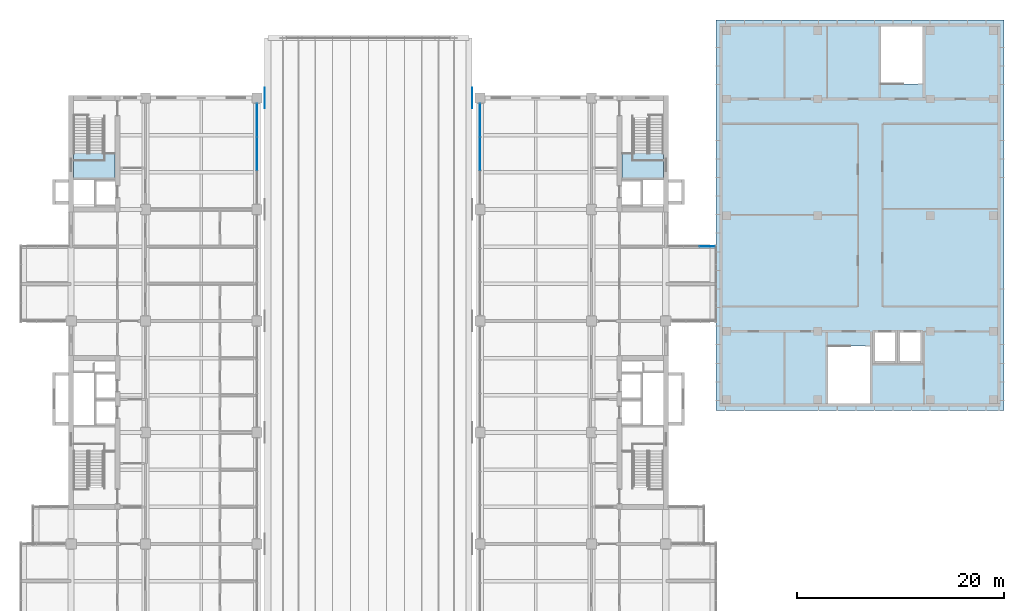
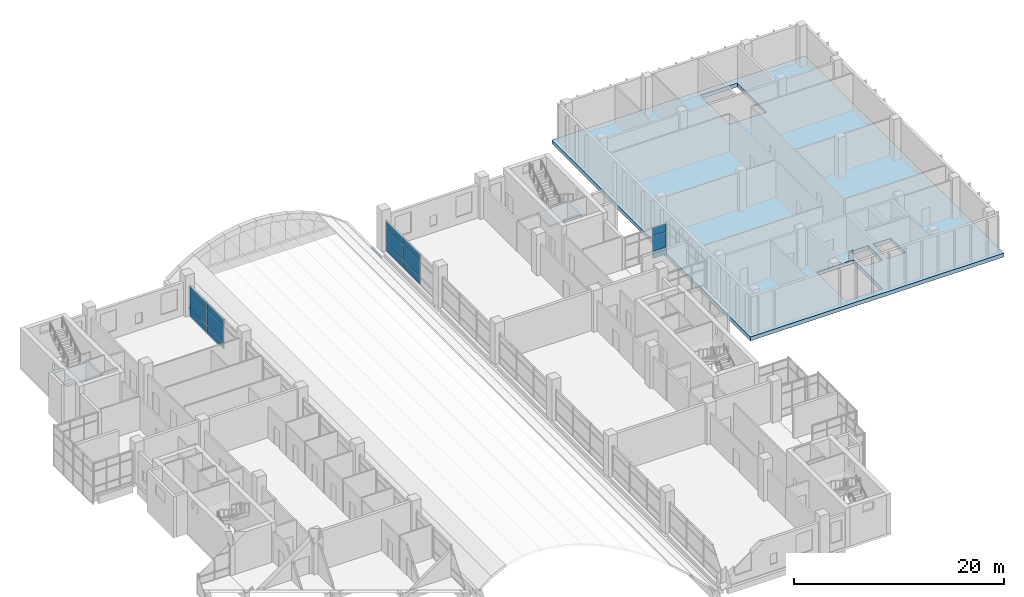
# One storey, part 29 of 45: 17 plates, 3 slabs, 5 elements without a shape of their own.
"""IFC4 building model written with IfcOpenShell, lengths in metres."""

from ifc_helpers import new_model, si_unit, direction, frame, origin, origin_2d, place, context, subcontext, project, spatial, polyline, rectangle, outline, extrude, material, layer, layer_set, type_object, element, aggregate, save


model = new_model("IFC4")

# Units and contexts
model_context = context("Model", 3, precision=1e-05, world=origin(), true_north=direction((0.0, 1.0)))
body_context = subcontext(model_context, "Body", "Model", "MODEL_VIEW")
ifc_project = project(units=[si_unit("LENGTHUNIT", "METRE"), si_unit("AREAUNIT", "SQUARE_METRE"), si_unit("VOLUMEUNIT", "CUBIC_METRE"), si_unit("PLANEANGLEUNIT", "RADIAN"), si_unit("MASSUNIT", "GRAM", prefix="KILO")], contexts=[model_context])

# Site, building, storey
site_placement = place(None, origin())
site = spatial("IfcSite", under=ifc_project, at=site_placement, CompositionType="ELEMENT")
building_placement = place(site_placement, origin())
building = spatial("IfcBuilding", under=site, at=building_placement, Name="Basin Gate Institute", CompositionType="ELEMENT")
storey_placement = place(building_placement, frame((0.0, 0.0, 22.199951171875)))
storey = spatial("IfcBuildingStorey", under=building, at=storey_placement, Name="L04", CompositionType="ELEMENT", Elevation=22.199951171875)

# Plates
ifc_material_1 = material(Name="Stainless steel", Category="steel")
ifc_layer_1 = layer(ifc_material_1, 0.0029296875)
ifc_layer_set_1 = layer_set([ifc_layer_1], Name="Stainless steel")
plate_type_1 = type_object("IfcPlateType", Name="Shell joint cover JC1", PredefinedType="SHEET", material=ifc_layer_set_1)
for number, where, z_axis, x_axis, name in (
    (1, (79.948486328125, 99.89990234375, -0.39990234375), (0.0, 0.0, 1.0), (1.0, 0.0, 0.0), "Atrium shell joint cover 7W"),
    (2, (100.051513671875, 99.89990234375, -0.39990234375), (0.0, 0.0, 1.0), (1.0, 0.0, 0.0), "Atrium shell joint cover 7E"),
):
    element("IfcPlate", number, at=place(storey_placement, frame(where, z_axis=z_axis, x_axis=x_axis)), inside=storey, type_object=plate_type_1, material=ifc_layer_set_1, Name=name, PredefinedType="SHEET", context=body_context, shape_type="SweptSolid", body=[
        extrude(rectangle(XDim=0.0029296875, YDim=2.0, at=origin_2d()), origin(), (0.0, 0.0, 1.0), 0.300048828125),
    ])

# Slab
ifc_material_2 = material(Name="Concrete 40 MPa", Category="concrete")
ifc_layer_2 = layer(ifc_material_2, 0.449951171875)
ifc_layer_set_2 = layer_set([ifc_layer_2], Name="Concrete 40 MPa")
slab_type_1 = type_object("IfcSlabType", Name="Slab SL845 R120", PredefinedType="FLOOR", material=ifc_layer_set_2)
slab_1_placement = place(storey_placement, frame((0.0, 0.0, -0.449951171875)))
element("IfcSlab", 3, at=slab_1_placement, inside=storey, type_object=slab_type_1, material=ifc_layer_set_2, Name="Clean block floor slab R120 L04", PredefinedType="FLOOR", context=body_context, shape_type="SweptSolid", body=[
    extrude(outline(polyline([(123.64990234375, 107.449951171875), (123.64990234375, 69.64990234375), (151.550048828125, 69.64990234375), (151.550048828125, 107.449951171875), (123.64990234375, 107.449951171875)]), holes=[polyline([(134.52490234375, 75.85498046875), (138.574951171875, 75.85498046875), (138.574951171875, 70.300048828125), (134.52490234375, 70.300048828125), (134.52490234375, 75.85498046875)]), polyline([(139.074951171875, 77.175048828125), (140.97509765625, 77.175048828125), (140.97509765625, 74.425048828125), (139.074951171875, 74.425048828125), (139.074951171875, 77.175048828125)]), polyline([(141.47509765625, 77.175048828125), (143.47509765625, 77.175048828125), (143.47509765625, 74.425048828125), (141.47509765625, 74.425048828125), (141.47509765625, 77.175048828125)]), polyline([(139.625, 106.800048828125), (143.675048828125, 106.800048828125), (143.675048828125, 101.2451171875), (139.625, 101.2451171875), (139.625, 106.800048828125)])]), origin(), (0.0, 0.0, 1.0), 0.449951171875),
])

# Curtain wall, plates
ifc_material_3 = material(Name="Aluminium-framed glazing", Category="aluminium")
ifc_layer_3 = layer(ifc_material_3, 0.199951171875)
ifc_layer_set_3 = layer_set([ifc_layer_3], Name="Atrium curtain wall CW2")
curtain_wall_type_1 = type_object("IfcCurtainWallType", Name="Atrium curtain wall CW2", PredefinedType="NOTDEFINED", material=ifc_layer_set_3)
curtain_wall_1_placement = place(storey_placement, origin())
curtain_wall_1 = element("IfcCurtainWall", 4, at=curtain_wall_1_placement, inside=storey, type_object=curtain_wall_type_1, material=ifc_layer_set_3, Name="Atrium curtain wall W wing atrium bay 6 L04", PredefinedType="NOTDEFINED")
ifc_material_4 = material(Name="Aluminium insulated spandrel panel", Category="aluminium")
ifc_layer_4 = layer(ifc_material_4, 0.050048828125)
ifc_layer_set_4 = layer_set([ifc_layer_4], Name="Spandrel panel PN2")
plate_type_2 = type_object("IfcPlateType", Name="Spandrel panel PN2", PredefinedType="CURTAIN_PANEL", material=ifc_layer_set_4)
plate_1_placement = place(storey_placement, frame((79.199951171875, 94.5, 0.06005859375), z_axis=(0.0, 0.0, 1.0), x_axis=(0.0, 1.0, 0.0)))
plate_1 = element("IfcPlate", 5, at=plate_1_placement, type_object=plate_type_2, material=ifc_layer_set_4, Name="CW2 spandrel panel 2.1", PredefinedType="CURTAIN_PANEL", context=body_context, shape_type="SweptSolid", body=[
    extrude(rectangle(XDim=3.206787109375, YDim=0.050048828125, at=origin_2d()), origin(), (0.0, 0.0, 1.0), 0.81005859375),
])
plate_2_placement = place(storey_placement, frame((79.199951171875, 94.5, 2.72998046875), z_axis=(0.0, 0.0, 1.0), x_axis=(0.0, 1.0, 0.0)))
plate_2 = element("IfcPlate", 6, at=plate_2_placement, type_object=plate_type_2, material=ifc_layer_set_4, Name="CW2 spandrel panel 2.3", PredefinedType="CURTAIN_PANEL", context=body_context, shape_type="SweptSolid", body=[
    extrude(rectangle(XDim=3.206787109375, YDim=0.050048828125, at=origin_2d()), origin(), (0.0, 0.0, 1.0), 0.760009765625),
])
plate_3_placement = place(storey_placement, frame((79.199951171875, 97.751708984375, 0.06005859375), z_axis=(0.0, 0.0, 1.0), x_axis=(0.0, 1.0, 0.0)))
plate_3 = element("IfcPlate", 7, at=plate_3_placement, type_object=plate_type_2, material=ifc_layer_set_4, Name="CW2 spandrel panel 3.1", PredefinedType="CURTAIN_PANEL", context=body_context, shape_type="SweptSolid", body=[
    extrude(rectangle(XDim=3.1767578125, YDim=0.050048828125, at=origin_2d()), origin(), (0.0, 0.0, 1.0), 0.81005859375),
])
plate_4_placement = place(storey_placement, frame((79.199951171875, 97.751708984375, 2.72998046875), z_axis=(0.0, 0.0, 1.0), x_axis=(0.0, 1.0, 0.0)))
plate_4 = element("IfcPlate", 8, at=plate_4_placement, type_object=plate_type_2, material=ifc_layer_set_4, Name="CW2 spandrel panel 3.3", PredefinedType="CURTAIN_PANEL", context=body_context, shape_type="SweptSolid", body=[
    extrude(rectangle(XDim=3.1767578125, YDim=0.050048828125, at=origin_2d()), origin(), (0.0, 0.0, 1.0), 0.760009765625),
])

curtain_wall_2_placement = place(storey_placement, origin())
curtain_wall_2 = element("IfcCurtainWall", 9, at=curtain_wall_2_placement, inside=storey, type_object=curtain_wall_type_1, material=ifc_layer_set_3, Name="Atrium curtain wall E wing atrium bay 6 L04", PredefinedType="NOTDEFINED")
plate_5_placement = place(storey_placement, frame((100.800048828125, 94.5, 0.06005859375), z_axis=(0.0, 0.0, 1.0), x_axis=(0.0, 1.0, 0.0)))
plate_5 = element("IfcPlate", 10, at=plate_5_placement, type_object=plate_type_2, material=ifc_layer_set_4, Name="CW2 spandrel panel 2.1", PredefinedType="CURTAIN_PANEL", context=body_context, shape_type="SweptSolid", body=[
    extrude(rectangle(XDim=3.206787109375, YDim=0.050048828125, at=origin_2d()), origin(), (0.0, 0.0, 1.0), 0.81005859375),
])
plate_6_placement = place(storey_placement, frame((100.800048828125, 94.5, 2.72998046875), z_axis=(0.0, 0.0, 1.0), x_axis=(0.0, 1.0, 0.0)))
plate_6 = element("IfcPlate", 11, at=plate_6_placement, type_object=plate_type_2, material=ifc_layer_set_4, Name="CW2 spandrel panel 2.3", PredefinedType="CURTAIN_PANEL", context=body_context, shape_type="SweptSolid", body=[
    extrude(rectangle(XDim=3.206787109375, YDim=0.050048828125, at=origin_2d()), origin(), (0.0, 0.0, 1.0), 0.760009765625),
])
plate_7_placement = place(storey_placement, frame((100.800048828125, 97.751708984375, 0.06005859375), z_axis=(0.0, 0.0, 1.0), x_axis=(0.0, 1.0, 0.0)))
plate_7 = element("IfcPlate", 12, at=plate_7_placement, type_object=plate_type_2, material=ifc_layer_set_4, Name="CW2 spandrel panel 3.1", PredefinedType="CURTAIN_PANEL", context=body_context, shape_type="SweptSolid", body=[
    extrude(rectangle(XDim=3.1767578125, YDim=0.050048828125, at=origin_2d()), origin(), (0.0, 0.0, 1.0), 0.81005859375),
])
plate_8_placement = place(storey_placement, frame((100.800048828125, 97.751708984375, 2.72998046875), z_axis=(0.0, 0.0, 1.0), x_axis=(0.0, 1.0, 0.0)))
plate_8 = element("IfcPlate", 13, at=plate_8_placement, type_object=plate_type_2, material=ifc_layer_set_4, Name="CW2 spandrel panel 3.3", PredefinedType="CURTAIN_PANEL", context=body_context, shape_type="SweptSolid", body=[
    extrude(rectangle(XDim=3.1767578125, YDim=0.050048828125, at=origin_2d()), origin(), (0.0, 0.0, 1.0), 0.760009765625),
])

# Curtain wall, plate
ifc_material_5 = material(Name="Aluminium-framed glazing", Category="aluminium")
ifc_layer_5 = layer(ifc_material_5, 0.14990234375)
ifc_layer_set_5 = layer_set([ifc_layer_5], Name="Capsule front curtain wall CW1")
curtain_wall_type_2 = type_object("IfcCurtainWallType", Name="Capsule front curtain wall CW1", PredefinedType="NOTDEFINED", material=ifc_layer_set_5)
curtain_wall_3_placement = place(storey_placement, origin())
curtain_wall_3 = element("IfcCurtainWall", 14, at=curtain_wall_3_placement, inside=storey, type_object=curtain_wall_type_2, material=ifc_layer_set_5, Name="Capsule front curtain wall E wing capsule end L04 line 15", PredefinedType="NOTDEFINED")
plate_9_placement = place(storey_placement, frame((122.8125, 85.5, 0.06005859375), z_axis=(0.0, 0.0, 1.0), x_axis=(-1.0, 0.0, 0.0)))
plate_9 = element("IfcPlate", 15, at=plate_9_placement, type_object=plate_type_2, material=ifc_layer_set_4, Name="CW1 spandrel panel 1.1", PredefinedType="CURTAIN_PANEL", context=body_context, shape_type="SweptSolid", body=[
    extrude(rectangle(XDim=1.47509765625, YDim=0.050048828125, at=origin_2d()), origin(), (0.0, 0.0, 1.0), 0.81005859375),
])

# Stair, slab
ifc_material_6 = material(Name="Concrete 40 MPa", Category="concrete")
stair_type = type_object("IfcStairType", Name="Stair ST", PredefinedType="HALF_TURN_STAIR", material=ifc_material_6)
stair_1_placement = place(storey_placement, origin())
stair_1 = element("IfcStair", 16, at=stair_1_placement, inside=storey, type_object=stair_type, material=ifc_material_6, Name="Special safe stair ST-WN L04", PredefinedType="HALF_TURN_STAIR")
ifc_material_7 = material(Name="Concrete 40 MPa", Category="concrete")
ifc_layer_6 = layer(ifc_material_7, 0.199951171875)
ifc_layer_set_6 = layer_set([ifc_layer_6], Name="Concrete 40 MPa")
slab_type_2 = type_object("IfcSlabType", Name="Stair landing LN REI 120", PredefinedType="LANDING", material=ifc_layer_set_6)
slab_2_placement = place(storey_placement, frame((0.0, 0.0, 2.288818359375)))
slab_2 = element("IfcSlab", 17, at=slab_2_placement, type_object=slab_type_2, material=ifc_layer_set_6, Name="Stair landing ST-WN-L1 L04", PredefinedType="LANDING", context=body_context, shape_type="SweptSolid", body=[
    extrude(outline(polyline([(61.449951171875, 92.14990234375), (65.449951171875, 92.14990234375), (65.449951171875, 94.6298828125), (61.449951171875, 94.6298828125), (61.449951171875, 92.14990234375)])), origin(), (0.0, 0.0, 1.0), 0.2001953125),
])
aggregate(stair_1, [slab_2])

stair_2_placement = place(storey_placement, origin())
stair_2 = element("IfcStair", 18, at=stair_2_placement, inside=storey, type_object=stair_type, material=ifc_material_6, Name="Special safe stair ST-EN L04", PredefinedType="HALF_TURN_STAIR")
slab_3_placement = place(storey_placement, frame((0.0, 0.0, 2.288818359375)))
slab_3 = element("IfcSlab", 19, at=slab_3_placement, type_object=slab_type_2, material=ifc_layer_set_6, Name="Stair landing ST-EN-L1 L04", PredefinedType="LANDING", context=body_context, shape_type="SweptSolid", body=[
    extrude(outline(polyline([(118.550048828125, 94.6298828125), (114.550048828125, 94.6298828125), (114.550048828125, 92.14990234375), (118.550048828125, 92.14990234375), (118.550048828125, 94.6298828125)])), origin(), (0.0, 0.0, 1.0), 0.2001953125),
])
aggregate(stair_2, [slab_3])

# Plate
ifc_material_8 = material(Name="Double glazed unit")
ifc_layer_7 = layer(ifc_material_8, 0.028076171875)
ifc_layer_set_7 = layer_set([ifc_layer_7], Name="Vision panel PN1")
plate_type_3 = type_object("IfcPlateType", Name="Vision panel PN1", PredefinedType="CURTAIN_PANEL", material=ifc_layer_set_7)
plate_10_placement = place(storey_placement, frame((79.199951171875, 94.5, 0.93017578125), z_axis=(0.0, 0.0, 1.0), x_axis=(0.0, 1.0, 0.0)))
plate_10 = element("IfcPlate", 20, at=plate_10_placement, type_object=plate_type_3, material=ifc_layer_set_7, Name="CW2 vision panel 2.2", PredefinedType="CURTAIN_PANEL", context=body_context, shape_type="SweptSolid", body=[
    extrude(rectangle(XDim=3.206787109375, YDim=0.028076171875, at=origin_2d()), origin(), (0.0, 0.0, 1.0), 1.739990234375),
])

plate_11_placement = place(storey_placement, frame((79.199951171875, 97.751708984375, 0.93017578125), z_axis=(0.0, 0.0, 1.0), x_axis=(0.0, 1.0, 0.0)))
plate_11 = element("IfcPlate", 21, at=plate_11_placement, type_object=plate_type_3, material=ifc_layer_set_7, Name="CW2 vision panel 3.2", PredefinedType="CURTAIN_PANEL", context=body_context, shape_type="SweptSolid", body=[
    extrude(rectangle(XDim=3.1767578125, YDim=0.028076171875, at=origin_2d()), origin(), (0.0, 0.0, 1.0), 1.739990234375),
])

aggregate(curtain_wall_1, [plate_1, plate_10, plate_2, plate_3, plate_11, plate_4])

plate_12_placement = place(storey_placement, frame((100.800048828125, 94.5, 0.93017578125), z_axis=(0.0, 0.0, 1.0), x_axis=(0.0, 1.0, 0.0)))
plate_12 = element("IfcPlate", 22, at=plate_12_placement, type_object=plate_type_3, material=ifc_layer_set_7, Name="CW2 vision panel 2.2", PredefinedType="CURTAIN_PANEL", context=body_context, shape_type="SweptSolid", body=[
    extrude(rectangle(XDim=3.206787109375, YDim=0.028076171875, at=origin_2d()), origin(), (0.0, 0.0, 1.0), 1.739990234375),
])

plate_13_placement = place(storey_placement, frame((100.800048828125, 97.751708984375, 0.93017578125), z_axis=(0.0, 0.0, 1.0), x_axis=(0.0, 1.0, 0.0)))
plate_13 = element("IfcPlate", 23, at=plate_13_placement, type_object=plate_type_3, material=ifc_layer_set_7, Name="CW2 vision panel 3.2", PredefinedType="CURTAIN_PANEL", context=body_context, shape_type="SweptSolid", body=[
    extrude(rectangle(XDim=3.1767578125, YDim=0.028076171875, at=origin_2d()), origin(), (0.0, 0.0, 1.0), 1.739990234375),
])

aggregate(curtain_wall_2, [plate_5, plate_12, plate_6, plate_7, plate_13, plate_8])

plate_14_placement = place(storey_placement, frame((122.8125, 85.5, 0.93017578125), z_axis=(0.0, 0.0, 1.0), x_axis=(-1.0, 0.0, 0.0)))
plate_14 = element("IfcPlate", 24, at=plate_14_placement, type_object=plate_type_3, material=ifc_layer_set_7, Name="CW1 vision panel 1.2", PredefinedType="CURTAIN_PANEL", context=body_context, shape_type="SweptSolid", body=[
    extrude(rectangle(XDim=1.47509765625, YDim=0.028076171875, at=origin_2d()), origin(), (0.0, 0.0, 1.0), 1.739990234375),
])

plate_15_placement = place(storey_placement, frame((122.8125, 85.5, 2.72998046875), z_axis=(0.0, 0.0, 1.0), x_axis=(-1.0, 0.0, 0.0)))
plate_15 = element("IfcPlate", 25, at=plate_15_placement, type_object=plate_type_3, material=ifc_layer_set_7, Name="CW1 vision panel 1.3", PredefinedType="CURTAIN_PANEL", context=body_context, shape_type="SweptSolid", body=[
    extrude(rectangle(XDim=1.47509765625, YDim=0.028076171875, at=origin_2d()), origin(), (0.0, 0.0, 1.0), 0.860107421875),
])

aggregate(curtain_wall_3, [plate_9, plate_14, plate_15])

save(model, "model.ifc")
